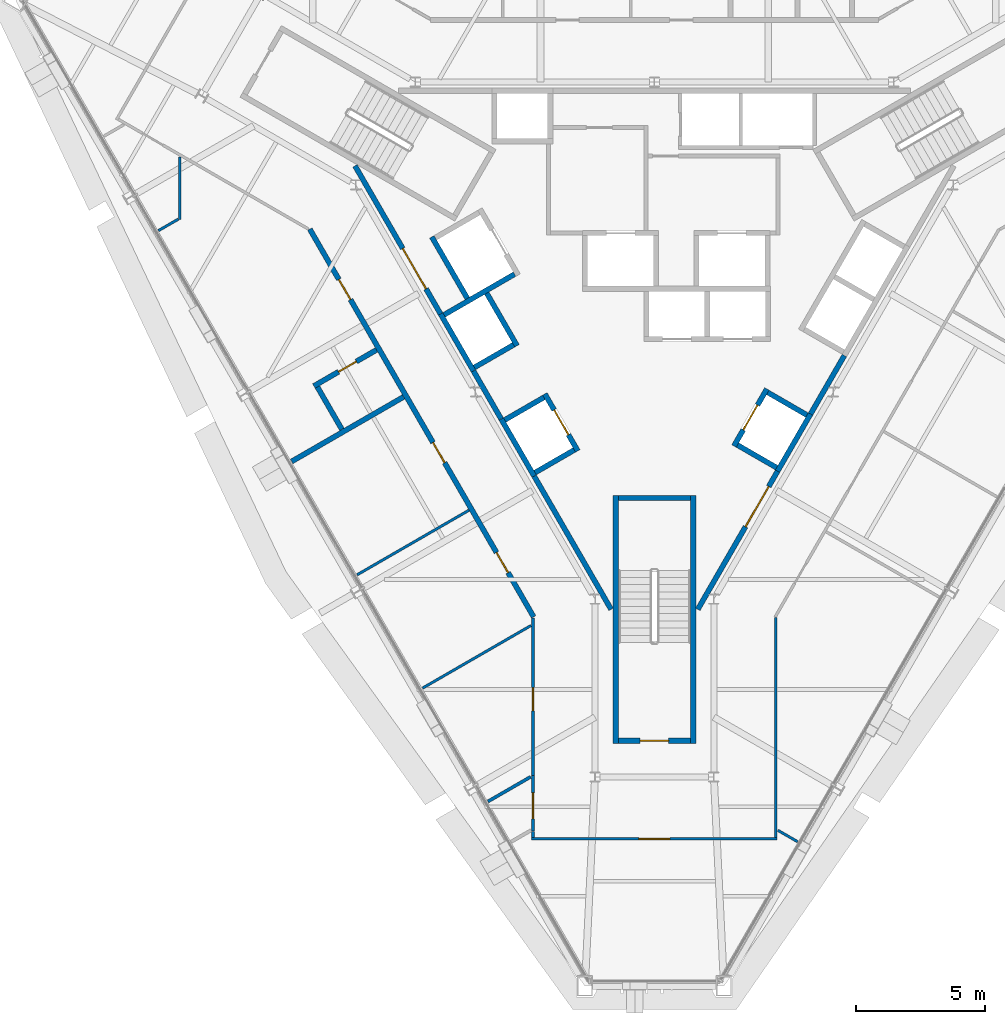
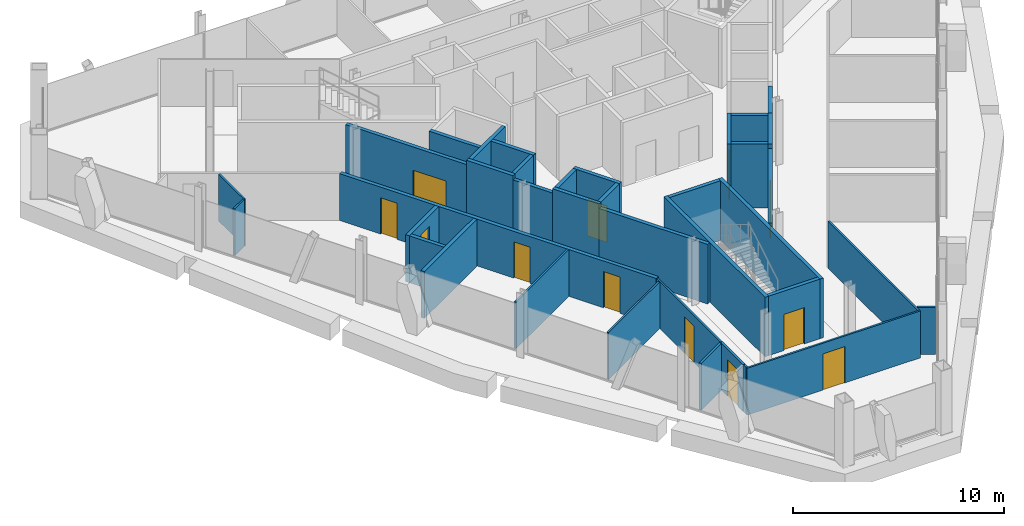
# One storey, part 9 of 14: 37 walls, 12 doors, 12 openings.
"""IFC4 building model written with IfcOpenShell, lengths in metres."""

from ifc_helpers import new_model, si_unit, direction, frame, frame_2d, origin, place, context, subcontext, project, spatial, rectangle, extrude, material, layer, layer_set, type_object, element, fill, save


model = new_model("IFC4")

# Units and contexts
model_context = context("Model", 3, precision=1e-05, world=origin(), true_north=direction((0.0, 1.0)))
body_context = subcontext(model_context, "Body", "Model", "MODEL_VIEW")
ifc_project = project(units=[si_unit("LENGTHUNIT", "METRE"), si_unit("AREAUNIT", "SQUARE_METRE"), si_unit("VOLUMEUNIT", "CUBIC_METRE"), si_unit("PLANEANGLEUNIT", "RADIAN"), si_unit("MASSUNIT", "GRAM", prefix="KILO")], contexts=[model_context])

# Site, building, storey
site_placement = place(None, origin())
site = spatial("IfcSite", under=ifc_project, at=site_placement, CompositionType="ELEMENT")
building_placement = place(site_placement, origin())
building = spatial("IfcBuilding", under=site, at=building_placement, Name="Verrane Prism Tower", CompositionType="ELEMENT")
storey_placement = place(building_placement, frame((0.0, 0.0, 221.199951171875)))
storey = spatial("IfcBuildingStorey", under=building, at=storey_placement, Name="L55", CompositionType="ELEMENT", Elevation=221.199951171875)

# Wall, opening, door
ifc_material_1 = material(Name="Gypsum board partition", Category="other")
ifc_layer_1 = layer(ifc_material_1, 0.199951171875)
ifc_layer_set_1 = layer_set([ifc_layer_1], Name="CW-200 core boundary wall 2 h")
wall_type_1 = type_object("IfcWallType", Name="CW-200 core boundary wall 2 h", PredefinedType="PARTITIONING", material=ifc_layer_set_1)
wall_1_placement = place(storey_placement, frame((-11.590576171875, 4.7548828125, 0.0), z_axis=(0.0, 0.0, 1.0), x_axis=(0.500043977787, -0.866000011708, 0.0)))
wall_1 = element("IfcWall", 1, at=wall_1_placement, inside=storey, type_object=wall_type_1, Name="Core boundary wall CW3-001", PredefinedType="PARTITIONING", context=body_context, shape_type="SweptSolid", body=[
    extrude(rectangle(XDim=6.61669921875, YDim=0.199951171875, at=frame_2d((3.308349609375, 0.0))), origin(), (0.0, 0.0, 1.0), 3.449951171875),
])
opening_1_placement = place(wall_1_placement, frame((3.695068359375, 0.0, 0.0)))
opening_1 = element("IfcOpeningElement", 2, at=opening_1_placement, cuts=wall_1, Name="Opening D54510", PredefinedType="OPENING", context=body_context, shape_type="SweptSolid", body=[
    extrude(rectangle(XDim=1.800048828125, YDim=2.10009765625, at=frame_2d((0.89990234375, 1.050048828125))), frame((0.0, 0.10986328125, 0.0), z_axis=(0.0, -1.0, 0.0), x_axis=(1.0, 0.0, 0.0)), (0.0, 0.0, 1.0), 0.219970703125),
])
ifc_material_2 = material(Name="Timber veneered door leaf", Category="wood")
door_type_1 = type_object("IfcDoorType", Name="DR-1800x2100 FD60 double leaf lift lobby", OperationType="NOTDEFINED", PredefinedType="DOOR", material=ifc_material_2)
door_1_placement = place(opening_1_placement, origin())
door_1 = element("IfcDoor", 3, at=door_1_placement, inside=storey, type_object=door_type_1, Name="Lift lobby door D54510", OperationType="DOUBLE_DOOR_SINGLE_SWING", OverallHeight=2.10009765625, OverallWidth=1.800048828125, PredefinedType="DOOR", context=body_context, shape_type="SweptSolid", body=[
    extrude(rectangle(XDim=1.800048828125, YDim=2.10009765625, at=frame_2d((0.89990234375, 1.050048828125))), frame((0.0, 0.02490234375, 0.0), z_axis=(0.0, -1.0, 0.0), x_axis=(1.0, 0.0, 0.0)), (0.0, 0.0, 1.0), 0.050048828125),
])
fill(opening_1, door_1)

# Walls
wall_2_placement = place(storey_placement, frame((-7.0048828125, -3.18701171875, 0.0), z_axis=(0.0, 0.0, 1.0), x_axis=(0.499689606989, -0.866204535123, 0.0)))
element("IfcWall", 4, at=wall_2_placement, inside=storey, type_object=wall_type_1, Name="Core boundary wall CW3-003", PredefinedType="PARTITIONING", context=body_context, shape_type="SweptSolid", body=[
    extrude(rectangle(XDim=2.144775390625, YDim=0.199951171875, at=frame_2d((1.072265625, 0.0))), origin(), (0.0, 0.0, 1.0), 3.449951171875),
])
wall_3_placement = place(storey_placement, frame((-4.655029296875, -7.257080078125, 0.0), z_axis=(0.0, 0.0, 1.0), x_axis=(0.499966124405, -0.866044960985, 0.0)))
element("IfcWall", 5, at=wall_3_placement, inside=storey, type_object=wall_type_1, Name="Core boundary wall CW3-004", PredefinedType="PARTITIONING", context=body_context, shape_type="SweptSolid", body=[
    extrude(rectangle(XDim=5.95556640625, YDim=0.199951171875, at=frame_2d((2.977783203125, 0.0))), origin(), (0.0, 0.0, 1.0), 3.449951171875),
])

# Wall, opening, door
wall_4_placement = place(storey_placement, frame((1.677490234375, -12.414794921875, 0.0), z_axis=(0.0, 0.0, 1.0), x_axis=(0.500054337157, 0.865994029939, 0.0)))
wall_4 = element("IfcWall", 6, at=wall_4_placement, inside=storey, type_object=wall_type_1, Name="Core boundary wall CW3-006", PredefinedType="PARTITIONING", context=body_context, shape_type="SweptSolid", body=[
    extrude(rectangle(XDim=6.176513671875, YDim=0.199951171875, at=frame_2d((3.08837890625, 0.0))), origin(), (0.0, 0.0, 1.0), 3.449951171875),
])
opening_2_placement = place(wall_4_placement, frame((3.695068359375, 0.0, 0.0)))
opening_2 = element("IfcOpeningElement", 7, at=opening_2_placement, cuts=wall_4, Name="Opening D54515", PredefinedType="OPENING", context=body_context, shape_type="SweptSolid", body=[
    extrude(rectangle(XDim=1.800048828125, YDim=2.10009765625, at=frame_2d((0.89990234375, 1.050048828125))), frame((0.0, 0.10986328125, 0.0), z_axis=(0.0, -1.0, 0.0), x_axis=(1.0, 0.0, 0.0)), (0.0, 0.0, 1.0), 0.219970703125),
])
door_2_placement = place(opening_2_placement, origin())
door_2 = element("IfcDoor", 8, at=door_2_placement, inside=storey, type_object=door_type_1, Name="Lift lobby door D54515", OperationType="DOUBLE_DOOR_SINGLE_SWING", OverallHeight=2.10009765625, OverallWidth=1.800048828125, PredefinedType="DOOR", context=body_context, shape_type="SweptSolid", body=[
    extrude(rectangle(XDim=1.800048828125, YDim=2.10009765625, at=frame_2d((0.89990234375, 1.050048828125))), frame((0.0, 0.02490234375, 0.0), z_axis=(0.0, -1.0, 0.0), x_axis=(1.0, 0.0, 0.0)), (0.0, 0.0, 1.0), 0.050048828125),
])
fill(opening_2, door_2)

# Wall
wall_5_placement = place(storey_placement, frame((6.0419921875, -4.85498046875, 0.0), z_axis=(0.0, 0.0, 1.0), x_axis=(0.500252727967, 0.865879442048, 0.0)))
element("IfcWall", 9, at=wall_5_placement, inside=storey, type_object=wall_type_1, Name="Core boundary wall CW3-007", PredefinedType="PARTITIONING", context=body_context, shape_type="SweptSolid", body=[
    extrude(rectangle(XDim=2.616943359375, YDim=0.199951171875, at=frame_2d((1.30859375, 0.0))), origin(), (0.0, 0.0, 1.0), 3.449951171875),
])

# Wall, opening, door
ifc_material_3 = material(Name="Concrete C40/50", Category="concrete")
ifc_layer_2 = layer(ifc_material_3, 0.199951171875)
ifc_layer_set_2 = layer_set([ifc_layer_2], Name="CW-200 stair core wall concrete C40/50 3 h")
wall_type_2 = type_object("IfcWallType", Name="CW-200 stair core wall concrete C40/50 3 h", PredefinedType="PARTITIONING", material=ifc_layer_set_2)
wall_6_placement = place(storey_placement, frame((-1.39990234375, -17.5, 0.0), z_axis=(0.0, 0.0, 1.0), x_axis=(1.0, 0.0, 0.0)))
wall_6 = element("IfcWall", 10, at=wall_6_placement, inside=storey, type_object=wall_type_2, Name="Stair 3 enclosure wall", PredefinedType="PARTITIONING", context=body_context, shape_type="SweptSolid", body=[
    extrude(rectangle(XDim=2.7998046875, YDim=0.199951171875, at=frame_2d((1.39990234375, 0.0))), origin(), (0.0, 0.0, 1.0), 3.449951171875),
])
opening_3_placement = place(wall_6_placement, frame((0.85009765625, 0.0, 0.0)))
opening_3 = element("IfcOpeningElement", 11, at=opening_3_placement, cuts=wall_6, Name="Opening D54502", PredefinedType="OPENING", context=body_context, shape_type="SweptSolid", body=[
    extrude(rectangle(XDim=1.10009765625, YDim=2.10009765625, at=frame_2d((0.550048828125, 1.050048828125))), frame((0.0, 0.10986328125, 0.0), z_axis=(0.0, -1.0, 0.0), x_axis=(1.0, 0.0, 0.0)), (0.0, 0.0, 1.0), 0.219970703125),
])
ifc_material_4 = material(Name="Timber veneered door leaf", Category="wood")
door_type_2 = type_object("IfcDoorType", Name="DR-1100x2100 FD90 single leaf stair", OperationType="NOTDEFINED", PredefinedType="DOOR", material=ifc_material_4)
door_3_placement = place(opening_3_placement, origin())
door_3 = element("IfcDoor", 12, at=door_3_placement, inside=storey, type_object=door_type_2, Name="Stair 3 door", OperationType="SINGLE_SWING_LEFT", OverallHeight=2.10009765625, OverallWidth=1.10009765625, PredefinedType="DOOR", context=body_context, shape_type="SweptSolid", body=[
    extrude(rectangle(XDim=1.10009765625, YDim=2.10009765625, at=frame_2d((0.550048828125, 1.050048828125))), frame((0.0, 0.02490234375, 0.0), z_axis=(0.0, -1.0, 0.0), x_axis=(1.0, 0.0, 0.0)), (0.0, 0.0, 1.0), 0.050048828125),
])
fill(opening_3, door_3)

# Walls
for number, where, z_axis, x_axis, name in (
    (13, (1.5, -8.0, 0.0), (0.0, 0.0, 1.0), (0.0, -1.0, 0.0), "Stair 3 enclosure wall"),
    (14, (-1.5, -8.0, 0.0), (0.0, 0.0, 1.0), (0.0, -1.0, 0.0), "Stair 3 enclosure wall"),
):
    element("IfcWall", number, at=place(storey_placement, frame(where, z_axis=z_axis, x_axis=x_axis)), inside=storey, type_object=wall_type_2, Name=name, PredefinedType="PARTITIONING", context=body_context, shape_type="SweptSolid", body=[
        extrude(rectangle(XDim=9.60009765625, YDim=0.199951171875, at=frame_2d((4.800048828125, 0.0))), origin(), (0.0, 0.0, 1.0), 3.449951171875),
    ])
wall_7_placement = place(storey_placement, frame((-1.39990234375, -8.10009765625, 0.0), z_axis=(0.0, 0.0, 1.0), x_axis=(1.0, 0.0, 0.0)))
element("IfcWall", 15, at=wall_7_placement, inside=storey, type_object=wall_type_2, Name="Stair 3 enclosure wall", PredefinedType="PARTITIONING", context=body_context, shape_type="SweptSolid", body=[
    extrude(rectangle(XDim=2.7998046875, YDim=0.199951171875, at=frame_2d((1.39990234375, 0.0))), origin(), (0.0, 0.0, 1.0), 3.449951171875),
])
ifc_material_5 = material(Name="Gypsum board shaft wall assembly", Category="other")
ifc_layer_3 = layer(ifc_material_5, 0.199951171875)
ifc_layer_set_3 = layer_set([ifc_layer_3], Name="HW-200 lift shaft wall 2 h")
wall_type_3 = type_object("IfcWallType", Name="HW-200 lift shaft wall 2 h", PredefinedType="PARTITIONING", material=ifc_layer_set_3)
for number, where, z_axis, x_axis, name in (
    (16, (-4.61962890625, -7.118408203125, 0.0), (0.0, 0.0, 1.0), (0.866036909293, 0.499980071345, 0.0), "Lift shaft wall"),
    (17, (-5.794677734375, -5.083251953125, 0.0), (0.0, 0.0, 1.0), (0.866036909293, 0.499980071345, 0.0), "Lift shaft wall"),
    (18, (-6.9697265625, -3.048095703125, 0.0), (0.0, 0.0, 1.0), (0.866036909293, 0.499980071345, 0.0), "Lift shaft wall"),
):
    element("IfcWall", number, at=place(storey_placement, frame(where, z_axis=z_axis, x_axis=x_axis)), inside=storey, type_object=wall_type_3, Name=name, PredefinedType="PARTITIONING", context=body_context, shape_type="SweptSolid", body=[
        extrude(rectangle(XDim=1.75, YDim=0.199951171875, at=frame_2d((0.875, 0.0))), origin(), (0.0, 0.0, 1.0), 3.699951171875),
    ])
wall_8_placement = place(storey_placement, frame((-8.14453125, -1.012939453125, 0.0), z_axis=(0.0, 0.0, 1.0), x_axis=(0.866016494683, 0.500015430699, 0.0)))
element("IfcWall", 19, at=wall_8_placement, inside=storey, type_object=wall_type_3, Name="Lift shaft wall", PredefinedType="PARTITIONING", context=body_context, shape_type="SweptSolid", body=[
    extrude(rectangle(XDim=3.14990234375, YDim=0.199951171875, at=frame_2d((1.574951171875, 0.0))), origin(), (0.0, 0.0, 1.0), 3.699951171875),
])
wall_9_placement = place(storey_placement, frame((4.766357421875, -7.064697265625, 0.0), z_axis=(0.0, 0.0, 1.0), x_axis=(0.499948979701, 0.866054858364, 0.0)))
element("IfcWall", 20, at=wall_9_placement, inside=storey, type_object=wall_type_3, Name="Lift shaft wall", PredefinedType="PARTITIONING", context=body_context, shape_type="SweptSolid", body=[
    extrude(rectangle(XDim=2.550048828125, YDim=0.199951171875, at=frame_2d((1.27490234375, 0.0))), origin(), (0.0, 0.0, 1.0), 3.699951171875),
])

# Wall, opening, door
wall_10_placement = place(storey_placement, frame((3.077392578125, -6.089599609375, 0.0), z_axis=(0.0, 0.0, 1.0), x_axis=(0.500062241894, 0.865989465428, 0.0)))
wall_10 = element("IfcWall", 21, at=wall_10_placement, inside=storey, type_object=wall_type_3, Name="Lift shaft wall", PredefinedType="PARTITIONING", context=body_context, shape_type="SweptSolid", body=[
    extrude(rectangle(XDim=2.550048828125, YDim=0.199951171875, at=frame_2d((1.27490234375, 0.0))), origin(), (0.0, 0.0, 1.0), 3.699951171875),
])
opening_4_placement = place(wall_10_placement, frame((0.72509765625, 0.0, 0.0)))
opening_4 = element("IfcOpeningElement", 22, at=opening_4_placement, cuts=wall_10, Name="Opening D54505", PredefinedType="OPENING", context=body_context, shape_type="SweptSolid", body=[
    extrude(rectangle(XDim=1.10009765625, YDim=2.10009765625, at=frame_2d((0.550048828125, 1.050048828125))), frame((0.0, 0.10986328125, 0.0), z_axis=(0.0, -1.0, 0.0), x_axis=(1.0, 0.0, 0.0)), (0.0, 0.0, 1.0), 0.219970703125),
])
ifc_material_6 = material(Name="Stainless steel sliding landing door", Category="steel")
door_type_3 = type_object("IfcDoorType", Name="LD-1100x2100 lift landing door FD90 sliding", OperationType="NOTDEFINED", PredefinedType="DOOR", material=ifc_material_6)
door_4_placement = place(opening_4_placement, origin())
door_4 = element("IfcDoor", 23, at=door_4_placement, inside=storey, type_object=door_type_3, Name="Bank B lift 3 landing door", OperationType="SLIDING_TO_LEFT", OverallHeight=2.10009765625, OverallWidth=1.10009765625, PredefinedType="DOOR", context=body_context, shape_type="SweptSolid", body=[
    extrude(rectangle(XDim=1.10009765625, YDim=2.10009765625, at=frame_2d((0.550048828125, 1.050048828125))), frame((0.0, 0.02490234375, 0.0), z_axis=(0.0, -1.0, 0.0), x_axis=(1.0, 0.0, 0.0)), (0.0, 0.0, 1.0), 0.050048828125),
])
fill(opening_4, door_4)

wall_11_placement = place(storey_placement, frame((-2.967529296875, -6.280029296875, 0.0), z_axis=(0.0, 0.0, 1.0), x_axis=(-0.499990435942, 0.866030925526, 0.0)))
wall_11 = element("IfcWall", 24, at=wall_11_placement, inside=storey, type_object=wall_type_3, Name="Lift shaft wall", PredefinedType="PARTITIONING", context=body_context, shape_type="SweptSolid", body=[
    extrude(rectangle(XDim=2.5498046875, YDim=0.199951171875, at=frame_2d((1.27490234375, 0.0))), origin(), (0.0, 0.0, 1.0), 3.699951171875),
])
opening_5_placement = place(wall_11_placement, frame((0.72509765625, 0.0, 0.0)))
opening_5 = element("IfcOpeningElement", 25, at=opening_5_placement, cuts=wall_11, Name="Opening D54506", PredefinedType="OPENING", context=body_context, shape_type="SweptSolid", body=[
    extrude(rectangle(XDim=1.10009765625, YDim=2.10009765625, at=frame_2d((0.550048828125, 1.050048828125))), frame((0.0, 0.10986328125, 0.0), z_axis=(0.0, -1.0, 0.0), x_axis=(1.0, 0.0, 0.0)), (0.0, 0.0, 1.0), 0.219970703125),
])
door_5_placement = place(opening_5_placement, origin())
door_5 = element("IfcDoor", 26, at=door_5_placement, inside=storey, type_object=door_type_3, Name="Bank B lift 4 landing door", OperationType="SLIDING_TO_RIGHT", OverallHeight=2.10009765625, OverallWidth=1.10009765625, PredefinedType="DOOR", context=body_context, shape_type="SweptSolid", body=[
    extrude(rectangle(XDim=1.10009765625, YDim=2.10009765625, at=frame_2d((0.550048828125, 1.050048828125))), frame((0.0, 0.02490234375, 0.0), z_axis=(0.0, -1.0, 0.0), x_axis=(1.0, 0.0, 0.0)), (0.0, 0.0, 1.0), 0.050048828125),
])
fill(opening_5, door_5)

# Walls
wall_12_placement = place(storey_placement, frame((-5.317626953125, -2.209716796875, 0.0), z_axis=(0.0, 0.0, 1.0), x_axis=(-0.499938297808, 0.866061024631, 0.0)))
element("IfcWall", 27, at=wall_12_placement, inside=storey, type_object=wall_type_3, Name="Lift shaft wall", PredefinedType="PARTITIONING", context=body_context, shape_type="SweptSolid", body=[
    extrude(rectangle(XDim=2.349853515625, YDim=0.199951171875, at=frame_2d((1.1748046875, 0.0))), origin(), (0.0, 0.0, 1.0), 3.699951171875),
])
wall_13_placement = place(storey_placement, frame((-7.241943359375, -0.37646484375, 0.0), z_axis=(0.0, 0.0, 1.0), x_axis=(-0.499996545922, 0.866027397988, 0.0)))
element("IfcWall", 28, at=wall_13_placement, inside=storey, type_object=wall_type_3, Name="Lift shaft wall", PredefinedType="PARTITIONING", context=body_context, shape_type="SweptSolid", body=[
    extrude(rectangle(XDim=2.75, YDim=0.199951171875, at=frame_2d((1.375, 0.0))), origin(), (0.0, 0.0, 1.0), 3.699951171875),
])
for number, where, z_axis, x_axis, name in (
    (29, (-4.65625, -7.255126953125, 0.0), (0.0, 0.0, 1.0), (-0.499990435942, 0.866030925526, 0.0), "Lift shaft wall"),
    (30, (-7.00634765625, -3.184814453125, 0.0), (0.0, 0.0, 1.0), (-0.499990435942, 0.866030925526, 0.0), "Lift shaft wall"),
):
    element("IfcWall", number, at=place(storey_placement, frame(where, z_axis=z_axis, x_axis=x_axis)), inside=storey, type_object=wall_type_3, Name=name, PredefinedType="PARTITIONING", context=body_context, shape_type="SweptSolid", body=[
        extrude(rectangle(XDim=2.5498046875, YDim=0.199951171875, at=frame_2d((1.27490234375, 0.0))), origin(), (0.0, 0.0, 1.0), 3.699951171875),
    ])
wall_14_placement = place(storey_placement, frame((5.904541015625, -4.892822265625, 0.0), z_axis=(0.0, 0.0, 1.0), x_axis=(-0.866002029911, 0.500040482552, 0.0)))
element("IfcWall", 31, at=wall_14_placement, inside=storey, type_object=wall_type_3, Name="Lift shaft wall", PredefinedType="PARTITIONING", context=body_context, shape_type="SweptSolid", body=[
    extrude(rectangle(XDim=1.749755859375, YDim=0.199951171875, at=frame_2d((0.875, 0.0))), origin(), (0.0, 0.0, 1.0), 3.699951171875),
])
wall_15_placement = place(storey_placement, frame((4.729736328125, -6.927978515625, 0.0), z_axis=(0.0, 0.0, 1.0), x_axis=(-0.866036909293, 0.499980071345, 0.0)))
element("IfcWall", 32, at=wall_15_placement, inside=storey, type_object=wall_type_3, Name="Lift shaft wall", PredefinedType="PARTITIONING", context=body_context, shape_type="SweptSolid", body=[
    extrude(rectangle(XDim=1.75, YDim=0.199951171875, at=frame_2d((0.875, 0.0))), origin(), (0.0, 0.0, 1.0), 3.699951171875),
])
ifc_material_7 = material(Name="Gypsum board partition", Category="other")
ifc_layer_4 = layer(ifc_material_7, 0.10009765625)
ifc_layer_set_4 = layer_set([ifc_layer_4], Name="PW-100 room partition")
wall_type_4 = type_object("IfcWallType", Name="PW-100 room partition", PredefinedType="PARTITIONING", material=ifc_layer_set_4)
wall_16_placement = place(storey_placement, frame((-19.201904296875, 2.2470703125, 0.0), z_axis=(0.0, 0.0, 1.0), x_axis=(0.86604424267, 0.499967368674, 0.0)))
element("IfcWall", 33, at=wall_16_placement, inside=storey, type_object=wall_type_4, Name="Room partition 004", PredefinedType="PARTITIONING", context=body_context, shape_type="SweptSolid", body=[
    extrude(rectangle(XDim=0.8916015625, YDim=0.10009765625, at=frame_2d((0.44580078125, 0.0))), origin(), (0.0, 0.0, 1.0), 2.713134765625),
])
wall_17_placement = place(storey_placement, frame((-18.368896484375, 2.677978515625, 0.0), z_axis=(0.0, 0.0, 1.0), x_axis=(0.0, 1.0, 0.0)))
element("IfcWall", 34, at=wall_17_placement, inside=storey, type_object=wall_type_4, Name="Room partition 005", PredefinedType="PARTITIONING", context=body_context, shape_type="SweptSolid", body=[
    extrude(rectangle(XDim=2.414306640625, YDim=0.10009765625, at=frame_2d((1.20703125, 0.0))), origin(), (0.0, 0.0, 1.0), 2.713134765625),
])
wall_18_placement = place(storey_placement, frame((-11.509765625, -11.075927734375, 0.0), z_axis=(0.0, 0.0, 1.0), x_axis=(0.866053039883, 0.499952129818, 0.0)))
element("IfcWall", 35, at=wall_18_placement, inside=storey, type_object=wall_type_4, Name="Room partition 011", PredefinedType="PARTITIONING", context=body_context, shape_type="SweptSolid", body=[
    extrude(rectangle(XDim=4.99951171875, YDim=0.10009765625, at=frame_2d((2.499755859375, 0.0))), origin(), (0.0, 0.0, 1.0), 2.713134765625),
])
wall_19_placement = place(storey_placement, frame((-8.976806640625, -15.463134765625, 0.0), z_axis=(0.0, 0.0, 1.0), x_axis=(0.866042300147, 0.4999707335, 0.0)))
element("IfcWall", 36, at=wall_19_placement, inside=storey, type_object=wall_type_4, Name="Room partition 013", PredefinedType="PARTITIONING", context=body_context, shape_type="SweptSolid", body=[
    extrude(rectangle(XDim=4.851806640625, YDim=0.10009765625, at=frame_2d((2.42578125, 0.0))), origin(), (0.0, 0.0, 1.0), 2.713134765625),
])
wall_20_placement = place(storey_placement, frame((-4.699951171875, -21.25, 0.0), z_axis=(0.0, 0.0, 1.0), x_axis=(0.0, 1.0, 0.0)))
element("IfcWall", 37, at=wall_20_placement, inside=storey, type_object=wall_type_4, Name="Room partition 018", PredefinedType="PARTITIONING", context=body_context, shape_type="SweptSolid", body=[
    extrude(rectangle(XDim=0.22802734375, YDim=0.10009765625, at=frame_2d((0.114013671875, 0.0))), origin(), (0.0, 0.0, 1.0), 2.713134765625),
])

# Wall, opening, door
wall_21_placement = place(storey_placement, frame((4.75, -21.300048828125, 0.0), z_axis=(0.0, 0.0, 1.0), x_axis=(-1.0, 0.0, 0.0)))
wall_21 = element("IfcWall", 38, at=wall_21_placement, inside=storey, type_object=wall_type_4, Name="Room partition 019", PredefinedType="PARTITIONING", context=body_context, shape_type="SweptSolid", body=[
    extrude(rectangle(XDim=9.5, YDim=0.10009765625, at=frame_2d((4.75, 0.0))), origin(), (0.0, 0.0, 1.0), 2.713134765625),
])
opening_6_placement = place(wall_21_placement, frame((4.14990234375, 0.0, 0.0)))
opening_6 = element("IfcOpeningElement", 39, at=opening_6_placement, cuts=wall_21, Name="Opening D54020", PredefinedType="OPENING", context=body_context, shape_type="SweptSolid", body=[
    extrude(rectangle(XDim=1.199951171875, YDim=2.10009765625, at=frame_2d((0.60009765625, 1.050048828125))), frame((0.0, 0.06005859375, 0.0), z_axis=(0.0, -1.0, 0.0), x_axis=(1.0, 0.0, 0.0)), (0.0, 0.0, 1.0), 0.1201171875),
])
ifc_material_8 = material(Name="Timber veneered door leaf", Category="wood")
door_type_4 = type_object("IfcDoorType", Name="DR-1200x2100 single leaf unit", OperationType="NOTDEFINED", PredefinedType="DOOR", material=ifc_material_8)
door_6_placement = place(opening_6_placement, origin())
door_6 = element("IfcDoor", 40, at=door_6_placement, inside=storey, type_object=door_type_4, Name="Living And Dining Room door", OperationType="SINGLE_SWING_LEFT", OverallHeight=2.10009765625, OverallWidth=1.199951171875, PredefinedType="DOOR", context=body_context, shape_type="SweptSolid", body=[
    extrude(rectangle(XDim=1.199951171875, YDim=2.10009765625, at=frame_2d((0.60009765625, 1.050048828125))), frame((0.0, 0.02490234375, 0.0), z_axis=(0.0, -1.0, 0.0), x_axis=(1.0, 0.0, 0.0)), (0.0, 0.0, 1.0), 0.050048828125),
])
fill(opening_6, door_6)

wall_22_placement = place(storey_placement, frame((-4.699951171875, -18.843994140625, 0.0), z_axis=(0.0, 0.0, 1.0), x_axis=(0.0, 1.0, 0.0)))
wall_22 = element("IfcWall", 41, at=wall_22_placement, inside=storey, type_object=wall_type_4, Name="Room partition 021", PredefinedType="PARTITIONING", context=body_context, shape_type="SweptSolid", body=[
    extrude(rectangle(XDim=6.095947265625, YDim=0.10009765625, at=frame_2d((3.0478515625, 0.0))), origin(), (0.0, 0.0, 1.0), 2.713134765625),
])
opening_7_placement = place(wall_22_placement, frame((2.5, 0.0, 0.0)))
opening_7 = element("IfcOpeningElement", 42, at=opening_7_placement, cuts=wall_22, Name="Opening D54019", PredefinedType="OPENING", context=body_context, shape_type="SweptSolid", body=[
    extrude(rectangle(XDim=0.89990234375, YDim=2.10009765625, at=frame_2d((0.449951171875, 1.050048828125))), frame((0.0, 0.06005859375, 0.0), z_axis=(0.0, -1.0, 0.0), x_axis=(1.0, 0.0, 0.0)), (0.0, 0.0, 1.0), 0.1201171875),
])
ifc_material_9 = material(Name="Timber veneered door leaf", Category="wood")
door_type_5 = type_object("IfcDoorType", Name="DR-900x2100 single leaf unit", OperationType="NOTDEFINED", PredefinedType="DOOR", material=ifc_material_9)
door_7_placement = place(opening_7_placement, origin())
door_7 = element("IfcDoor", 43, at=door_7_placement, inside=storey, type_object=door_type_5, Name="Study door", OperationType="SINGLE_SWING_LEFT", OverallHeight=2.10009765625, OverallWidth=0.89990234375, PredefinedType="DOOR", context=body_context, shape_type="SweptSolid", body=[
    extrude(rectangle(XDim=0.89990234375, YDim=2.10009765625, at=frame_2d((0.449951171875, 1.050048828125))), frame((0.0, 0.02490234375, 0.0), z_axis=(0.0, -1.0, 0.0), x_axis=(1.0, 0.0, 0.0)), (0.0, 0.0, 1.0), 0.050048828125),
])
fill(opening_7, door_7)

# Walls
wall_23_placement = place(storey_placement, frame((4.699951171875, -21.25, 0.0), z_axis=(0.0, 0.0, 1.0), x_axis=(0.0, 1.0, 0.0)))
element("IfcWall", 44, at=wall_23_placement, inside=storey, type_object=wall_type_4, Name="Room partition 025", PredefinedType="PARTITIONING", context=body_context, shape_type="SweptSolid", body=[
    extrude(rectangle(XDim=8.51708984375, YDim=0.10009765625, at=frame_2d((4.258544921875, 0.0))), origin(), (0.0, 0.0, 1.0), 2.713134765625),
])
wall_24_placement = place(storey_placement, frame((4.77490234375, -20.96533203125, 0.0), z_axis=(0.0, 0.0, 1.0), x_axis=(0.866103179807, -0.499865263774, 0.0)))
element("IfcWall", 45, at=wall_24_placement, inside=storey, type_object=wall_type_4, Name="Room partition 026", PredefinedType="PARTITIONING", context=body_context, shape_type="SweptSolid", body=[
    extrude(rectangle(XDim=0.887939453125, YDim=0.10009765625, at=frame_2d((0.44384765625, 0.0))), origin(), (0.0, 0.0, 1.0), 2.713134765625),
])
ifc_material_10 = material(Name="Gypsum board partition", Category="other")
ifc_layer_5 = layer(ifc_material_10, 0.125)
ifc_layer_set_5 = layer_set([ifc_layer_5], Name="PW-125 corridor wall 1 h")
wall_type_5 = type_object("IfcWallType", Name="PW-125 corridor wall 1 h", PredefinedType="PARTITIONING", material=ifc_layer_set_5)
wall_25_placement = place(storey_placement, frame((-6.44384765625, -19.85009765625, 0.0), z_axis=(0.0, 0.0, 1.0), x_axis=(0.866172805685, 0.499744605466, 0.0)))
element("IfcWall", 46, at=wall_25_placement, inside=storey, type_object=wall_type_5, Name="Corridor wall 015", PredefinedType="PARTITIONING", context=body_context, shape_type="SweptSolid", body=[
    extrude(rectangle(XDim=1.908203125, YDim=0.125, at=frame_2d((0.9541015625, 0.0))), origin(), (0.0, 0.0, 1.0), 2.713134765625),
])

# Wall, opening, door
wall_26_placement = place(storey_placement, frame((-4.699951171875, -18.846435546875, 0.0), z_axis=(0.0, 0.0, 1.0), x_axis=(0.0, -1.0, 0.0)))
wall_26 = element("IfcWall", 47, at=wall_26_placement, inside=storey, type_object=wall_type_5, Name="Corridor wall 020", PredefinedType="PARTITIONING", context=body_context, shape_type="SweptSolid", body=[
    extrude(rectangle(XDim=2.13818359375, YDim=0.125, at=frame_2d((1.069091796875, 0.0))), origin(), (0.0, 0.0, 1.0), 2.713134765625),
])
opening_8_placement = place(wall_26_placement, frame((0.675537109375, 0.0, 0.0)))
opening_8 = element("IfcOpeningElement", 48, at=opening_8_placement, cuts=wall_26, Name="Opening D54021", PredefinedType="OPENING", context=body_context, shape_type="SweptSolid", body=[
    extrude(rectangle(XDim=1.0, YDim=2.10009765625, at=frame_2d((0.5, 1.050048828125))), frame((0.0, 0.072509765625, 0.0), z_axis=(0.0, -1.0, 0.0), x_axis=(1.0, 0.0, 0.0)), (0.0, 0.0, 1.0), 0.14501953125),
])
ifc_material_11 = material(Name="Timber veneered door leaf", Category="wood")
door_type_6 = type_object("IfcDoorType", Name="DR-1000x2100 FD20 single leaf unit", OperationType="NOTDEFINED", PredefinedType="DOOR", material=ifc_material_11)
door_8_placement = place(opening_8_placement, origin())
door_8 = element("IfcDoor", 49, at=door_8_placement, inside=storey, type_object=door_type_6, Name="Entrance Hall door", OperationType="SINGLE_SWING_RIGHT", OverallHeight=2.10009765625, OverallWidth=1.0, PredefinedType="DOOR", context=body_context, shape_type="SweptSolid", body=[
    extrude(rectangle(XDim=1.0, YDim=2.10009765625, at=frame_2d((0.5, 1.050048828125))), frame((0.0, 0.02490234375, 0.0), z_axis=(0.0, -1.0, 0.0), x_axis=(1.0, 0.0, 0.0)), (0.0, 0.0, 1.0), 0.050048828125),
])
fill(opening_8, door_8)

# Wall
ifc_material_12 = material(Name="Gypsum board partition", Category="other")
ifc_layer_6 = layer(ifc_material_12, 0.199951171875)
ifc_layer_set_6 = layer_set([ifc_layer_6], Name="PW-200 plumbing wall")
wall_type_6 = type_object("IfcWallType", Name="PW-200 plumbing wall", PredefinedType="PARTITIONING", material=ifc_layer_set_6)
wall_27_placement = place(storey_placement, frame((-14.042724609375, -6.68896484375, 0.0), z_axis=(0.0, 0.0, 1.0), x_axis=(0.866053039883, 0.499952129818, 0.0)))
element("IfcWall", 50, at=wall_27_placement, inside=storey, type_object=wall_type_6, Name="Plumbing wall 007", PredefinedType="PARTITIONING", context=body_context, shape_type="SweptSolid", body=[
    extrude(rectangle(XDim=4.99951171875, YDim=0.199951171875, at=frame_2d((2.499755859375, 0.0))), origin(), (0.0, 0.0, 1.0), 2.713134765625),
])

# Wall, openings, doors
wall_28_placement = place(storey_placement, frame((-4.675048828125, -12.706298828125, 0.0), z_axis=(0.0, 0.0, 1.0), x_axis=(-0.49997440863, 0.866040178465, 0.0)))
wall_28 = element("IfcWall", 51, at=wall_28_placement, inside=storey, type_object=wall_type_6, Name="Plumbing wall 008", PredefinedType="PARTITIONING", context=body_context, shape_type="SweptSolid", body=[
    extrude(rectangle(XDim=17.3349609375, YDim=0.199951171875, at=frame_2d((8.66748046875, 0.0))), origin(), (0.0, 0.0, 1.0), 2.713134765625),
])
opening_9_placement = place(wall_28_placement, frame((14.184814453125, 0.0, 0.0)))
opening_9 = element("IfcOpeningElement", 52, at=opening_9_placement, cuts=wall_28, Name="Opening D54015", PredefinedType="OPENING", context=body_context, shape_type="SweptSolid", body=[
    extrude(rectangle(XDim=0.89990234375, YDim=2.10009765625, at=frame_2d((0.449951171875, 1.050048828125))), frame((0.0, 0.10986328125, 0.0), z_axis=(0.0, -1.0, 0.0), x_axis=(1.0, 0.0, 0.0)), (0.0, 0.0, 1.0), 0.219970703125),
])
opening_10_placement = place(wall_28_placement, frame((6.894775390625, 0.0, 0.0)))
opening_10 = element("IfcOpeningElement", 53, at=opening_10_placement, cuts=wall_28, Name="Opening D54017", PredefinedType="OPENING", context=body_context, shape_type="SweptSolid", body=[
    extrude(rectangle(XDim=0.89990234375, YDim=2.10009765625, at=frame_2d((0.449951171875, 1.050048828125))), frame((0.0, 0.10986328125, 0.0), z_axis=(0.0, -1.0, 0.0), x_axis=(1.0, 0.0, 0.0)), (0.0, 0.0, 1.0), 0.219970703125),
])
opening_11_placement = place(wall_28_placement, frame((1.978759765625, 0.0, 0.0)))
opening_11 = element("IfcOpeningElement", 54, at=opening_11_placement, cuts=wall_28, Name="Opening D54018", PredefinedType="OPENING", context=body_context, shape_type="SweptSolid", body=[
    extrude(rectangle(XDim=0.89990234375, YDim=2.10009765625, at=frame_2d((0.449951171875, 1.050048828125))), frame((0.0, 0.10986328125, 0.0), z_axis=(0.0, -1.0, 0.0), x_axis=(1.0, 0.0, 0.0)), (0.0, 0.0, 1.0), 0.219970703125),
])
ifc_material_13 = material(Name="Timber veneered door leaf", Category="wood")
door_type_7 = type_object("IfcDoorType", Name="DR-900x2100 single leaf inner", OperationType="NOTDEFINED", PredefinedType="DOOR", material=ifc_material_13)
door_9_placement = place(opening_9_placement, origin())
door_9 = element("IfcDoor", 55, at=door_9_placement, inside=storey, type_object=door_type_7, Name="Bedroom door", OperationType="SINGLE_SWING_RIGHT", OverallHeight=2.10009765625, OverallWidth=0.89990234375, PredefinedType="DOOR", context=body_context, shape_type="SweptSolid", body=[
    extrude(rectangle(XDim=0.89990234375, YDim=2.10009765625, at=frame_2d((0.449951171875, 1.050048828125))), frame((0.0, 0.02490234375, 0.0), z_axis=(0.0, -1.0, 0.0), x_axis=(1.0, 0.0, 0.0)), (0.0, 0.0, 1.0), 0.050048828125),
])
fill(opening_9, door_9)
door_10_placement = place(opening_10_placement, origin())
door_10 = element("IfcDoor", 56, at=door_10_placement, inside=storey, type_object=door_type_5, Name="Study door", OperationType="SINGLE_SWING_RIGHT", OverallHeight=2.10009765625, OverallWidth=0.89990234375, PredefinedType="DOOR", context=body_context, shape_type="SweptSolid", body=[
    extrude(rectangle(XDim=0.89990234375, YDim=2.10009765625, at=frame_2d((0.449951171875, 1.050048828125))), frame((0.0, 0.02490234375, 0.0), z_axis=(0.0, -1.0, 0.0), x_axis=(1.0, 0.0, 0.0)), (0.0, 0.0, 1.0), 0.050048828125),
])
fill(opening_10, door_10)
door_11_placement = place(opening_11_placement, origin())
door_11 = element("IfcDoor", 57, at=door_11_placement, inside=storey, type_object=door_type_5, Name="Study door", OperationType="SINGLE_SWING_LEFT", OverallHeight=2.10009765625, OverallWidth=0.89990234375, PredefinedType="DOOR", context=body_context, shape_type="SweptSolid", body=[
    extrude(rectangle(XDim=0.89990234375, YDim=2.10009765625, at=frame_2d((0.449951171875, 1.050048828125))), frame((0.0, 0.02490234375, 0.0), z_axis=(0.0, -1.0, 0.0), x_axis=(1.0, 0.0, 0.0)), (0.0, 0.0, 1.0), 0.050048828125),
])
fill(opening_11, door_11)

# Wall
wall_29_placement = place(storey_placement, frame((-13.047119140625, -3.8046875, 0.0), z_axis=(0.0, 0.0, 1.0), x_axis=(0.499949193323, -0.866054735046, 0.0)))
element("IfcWall", 58, at=wall_29_placement, inside=storey, type_object=wall_type_6, Name="Plumbing wall 009", PredefinedType="PARTITIONING", context=body_context, shape_type="SweptSolid", body=[
    extrude(rectangle(XDim=1.895263671875, YDim=0.199951171875, at=frame_2d((0.94775390625, 0.0))), origin(), (0.0, 0.0, 1.0), 2.713134765625),
])

# Wall, opening, door
wall_30_placement = place(storey_placement, frame((-10.762939453125, -2.37060546875, 0.0), z_axis=(0.0, 0.0, 1.0), x_axis=(-0.866041588165, -0.499971966783, 0.0)))
wall_30 = element("IfcWall", 59, at=wall_30_placement, inside=storey, type_object=wall_type_6, Name="Plumbing wall 010", PredefinedType="PARTITIONING", context=body_context, shape_type="SweptSolid", body=[
    extrude(rectangle(XDim=2.795166015625, YDim=0.199951171875, at=frame_2d((1.3974609375, 0.0))), origin(), (0.0, 0.0, 1.0), 2.713134765625),
])
opening_12_placement = place(wall_30_placement, frame((0.89501953125, 0.0, 0.0)))
opening_12 = element("IfcOpeningElement", 60, at=opening_12_placement, cuts=wall_30, Name="Opening D54016", PredefinedType="OPENING", context=body_context, shape_type="SweptSolid", body=[
    extrude(rectangle(XDim=0.800048828125, YDim=2.10009765625, at=frame_2d((0.39990234375, 1.050048828125))), frame((0.0, 0.10986328125, 0.0), z_axis=(0.0, -1.0, 0.0), x_axis=(1.0, 0.0, 0.0)), (0.0, 0.0, 1.0), 0.219970703125),
])
ifc_material_14 = material(Name="Timber veneered door leaf", Category="wood")
door_type_8 = type_object("IfcDoorType", Name="DR-800x2100 single leaf bath", OperationType="NOTDEFINED", PredefinedType="DOOR", material=ifc_material_14)
door_12_placement = place(opening_12_placement, origin())
door_12 = element("IfcDoor", 61, at=door_12_placement, inside=storey, type_object=door_type_8, Name="Bathroom door", OperationType="SINGLE_SWING_LEFT", OverallHeight=2.10009765625, OverallWidth=0.800048828125, PredefinedType="DOOR", context=body_context, shape_type="SweptSolid", body=[
    extrude(rectangle(XDim=0.800048828125, YDim=2.10009765625, at=frame_2d((0.39990234375, 1.050048828125))), frame((0.0, 0.02490234375, 0.0), z_axis=(0.0, -1.0, 0.0), x_axis=(1.0, 0.0, 0.0)), (0.0, 0.0, 1.0), 0.050048828125),
])
fill(opening_12, door_12)

save(model, "model.ifc")
